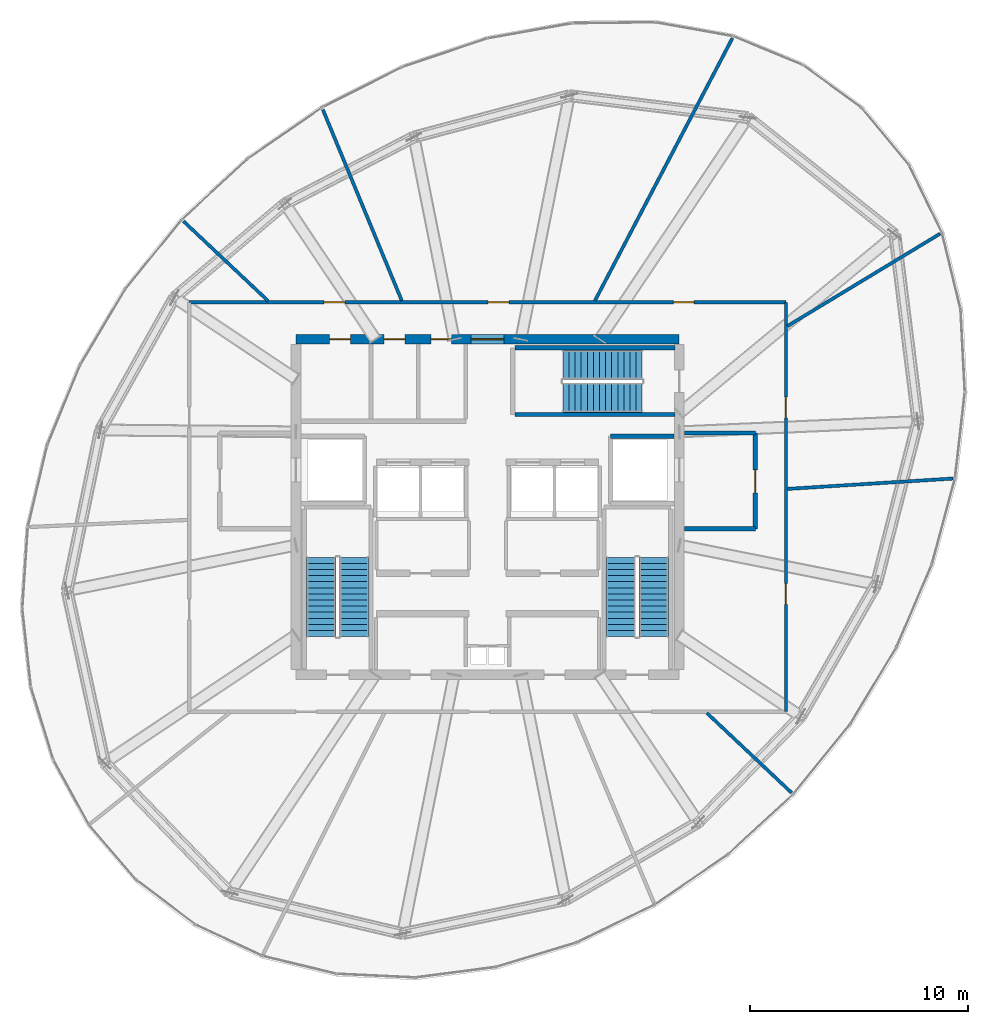
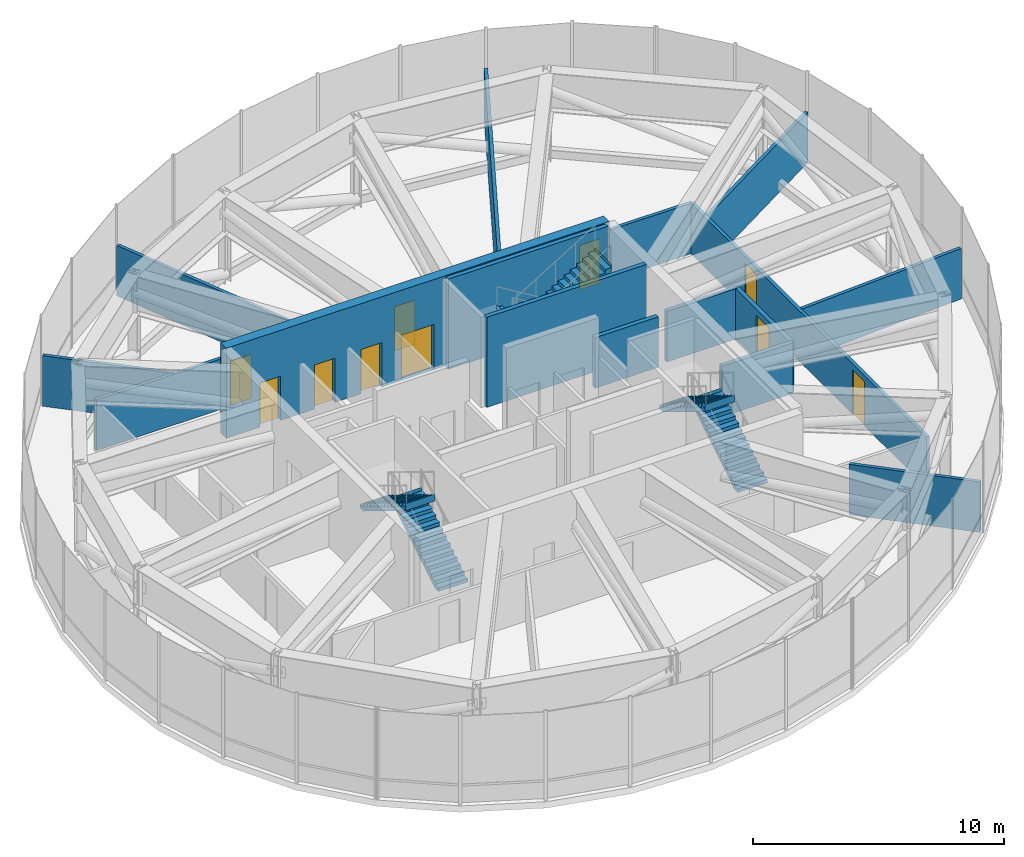
# One storey, part 25 of 26: 15 walls, 10 doors, 6 stair flights, 10 openings, 3 elements without a shape of their own.
"""IFC4 building model written with IfcOpenShell, lengths in metres."""

from ifc_helpers import new_model, si_unit, direction, frame, frame_2d, origin, place, context, subcontext, project, spatial, polyline, rectangle, outline, extrude, source, transform, mapped, material, layer, layer_set, type_object, element, fill, aggregate, save


model = new_model("IFC4")

# Units and contexts
model_context = context("Model", 3, precision=1e-05, world=origin(), true_north=direction((0.0, 1.0)))
body_context = subcontext(model_context, "Body", "Model", "MODEL_VIEW")
ifc_project = project(units=[si_unit("LENGTHUNIT", "METRE"), si_unit("AREAUNIT", "SQUARE_METRE"), si_unit("VOLUMEUNIT", "CUBIC_METRE"), si_unit("PLANEANGLEUNIT", "RADIAN"), si_unit("MASSUNIT", "GRAM", prefix="KILO"), si_unit("THERMODYNAMICTEMPERATUREUNIT", "KELVIN")], contexts=[model_context])

# Site, building, storey
site_placement = place(None, origin())
site = spatial("IfcSite", under=ifc_project, at=site_placement, CompositionType="ELEMENT")
building_placement = place(site_placement, origin())
building = spatial("IfcBuilding", under=site, at=building_placement, Name="Kethvar Cultural Tower", CompositionType="ELEMENT")
storey_placement = place(building_placement, frame((0.0, 0.0, 223.60009765625)))
storey = spatial("IfcBuildingStorey", under=building, at=storey_placement, Name="L58", CompositionType="ELEMENT", Elevation=223.60009765625)

# Wall, openings, doors
ifc_material_1 = material(Name="Concrete C50/60", Category="concrete")
ifc_layer_1 = layer(ifc_material_1, 0.449951171875, Name="Concrete C50/60", Category="concrete")
ifc_layer_set_1 = layer_set([ifc_layer_1], Name="Concrete C50/60 (450 mm)")
wall_type_1 = type_object("IfcWallType", Name="WL-CORE-450", PredefinedType="SHEAR", material=ifc_layer_set_1)
wall_1_placement = place(storey_placement, frame((55.60009765625, 35.5, 0.0), z_axis=(0.0, 0.0, 1.0), x_axis=(-1.0, 0.0, 0.0)))
wall_1 = element("IfcWall", 1, at=wall_1_placement, inside=storey, type_object=wall_type_1, Name="L58 Core Shear Wall N", PredefinedType="SHEAR", context=body_context, shape_type="SweptSolid", body=[
    extrude(rectangle(XDim=17.60009765625, YDim=0.449951171875, at=frame_2d((8.800048828125, 0.0))), origin(), (0.0, 0.0, 1.0), 4.3798828125),
])
opening_1_placement = place(wall_1_placement, frame((8.050048828125, 0.0, 0.0)))
opening_1 = element("IfcOpeningElement", 2, at=opening_1_placement, cuts=wall_1, Name="Opening D-L58-LN", PredefinedType="OPENING", context=body_context, shape_type="SweptSolid", body=[
    extrude(rectangle(XDim=1.5, YDim=2.199951171875, at=frame_2d((0.75, 1.10009765625))), frame((0.0, 0.23486328125, 0.0), z_axis=(0.0, -1.0, 0.0), x_axis=(1.0, 0.0, 0.0)), (0.0, 0.0, 1.0), 0.469970703125),
])
opening_2_placement = place(wall_1_placement, frame((15.10009765625, 0.0, 0.0)))
opening_2 = element("IfcOpeningElement", 3, at=opening_2_placement, cuts=wall_1, Name="Opening D-L58-E1", PredefinedType="OPENING", context=body_context, shape_type="SweptSolid", body=[
    extrude(rectangle(XDim=0.949951171875, YDim=2.14990234375, at=frame_2d((0.47509765625, 1.074951171875))), frame((0.0, 0.23486328125, 0.0), z_axis=(0.0, -1.0, 0.0), x_axis=(1.0, 0.0, 0.0)), (0.0, 0.0, 1.0), 0.469970703125),
])
opening_3_placement = place(wall_1_placement, frame((12.60009765625, 0.0, 0.0)))
opening_3 = element("IfcOpeningElement", 4, at=opening_3_placement, cuts=wall_1, Name="Opening D-L58-W1", PredefinedType="OPENING", context=body_context, shape_type="SweptSolid", body=[
    extrude(rectangle(XDim=0.949951171875, YDim=2.14990234375, at=frame_2d((0.47509765625, 1.074951171875))), frame((0.0, 0.23486328125, 0.0), z_axis=(0.0, -1.0, 0.0), x_axis=(1.0, 0.0, 0.0)), (0.0, 0.0, 1.0), 0.469970703125),
])
opening_4_placement = place(wall_1_placement, frame((10.449951171875, 0.0, 0.0)))
opening_4 = element("IfcOpeningElement", 5, at=opening_4_placement, cuts=wall_1, Name="Opening D-L58-W2", PredefinedType="OPENING", context=body_context, shape_type="SweptSolid", body=[
    extrude(rectangle(XDim=0.949951171875, YDim=2.14990234375, at=frame_2d((0.47509765625, 1.074951171875))), frame((0.0, 0.23486328125, 0.0), z_axis=(0.0, -1.0, 0.0), x_axis=(1.0, 0.0, 0.0)), (0.0, 0.0, 1.0), 0.469970703125),
])
ifc_material_2 = material(Name="Architectural Oak Timber", Category="wood")
door_type_1 = type_object("IfcDoorType", Name="DR-DBL-FD60-1500", OperationType="DOUBLE_DOOR_SINGLE_SWING", PredefinedType="DOOR", material=ifc_material_2)
shared_shape_1 = source(origin(), body_context, "Body", "SweptSolid", [
    extrude(rectangle(XDim=1.5, YDim=2.199951171875, at=frame_2d((0.75, 1.10009765625))), frame((0.0, 0.02490234375, 0.0), z_axis=(0.0, -1.0, 0.0), x_axis=(1.0, 0.0, 0.0)), (0.0, 0.0, 1.0), 0.050048828125),
])
door_1_placement = place(opening_1_placement, origin())
door_1 = element("IfcDoor", 6, at=door_1_placement, inside=storey, type_object=door_type_1, Name="L58 Lift Lobby Concourse Door", OperationType="DOUBLE_DOOR_SINGLE_SWING", OverallHeight=2.199951171875, OverallWidth=1.5, PredefinedType="DOOR", context=body_context, shape_type="MappedRepresentation", body=[
    mapped(shared_shape_1, transform((0.0, 0.0, 0.0), scale=1.0)),
])
fill(opening_1, door_1)
door_type_2 = type_object("IfcDoorType", Name="DR-FD30-950", OperationType="NOTDEFINED", PredefinedType="DOOR", material=ifc_material_2)
shared_shape_2 = source(origin(), body_context, "Body", "SweptSolid", [
    extrude(rectangle(XDim=0.949951171875, YDim=2.14990234375, at=frame_2d((0.47509765625, 1.074951171875))), frame((0.0, 0.02490234375, 0.0), z_axis=(0.0, -1.0, 0.0), x_axis=(1.0, 0.0, 0.0)), (0.0, 0.0, 1.0), 0.050048828125),
])
door_2_placement = place(opening_2_placement, origin())
door_2 = element("IfcDoor", 7, at=door_2_placement, inside=storey, type_object=door_type_2, Name="L58 Electrical Switchgear Door", OperationType="SINGLE_SWING_RIGHT", OverallHeight=2.14990234375, OverallWidth=0.949951171875, PredefinedType="DOOR", context=body_context, shape_type="MappedRepresentation", body=[
    mapped(shared_shape_2, transform((0.0, 0.0, 0.0), scale=1.0)),
])
fill(opening_2, door_2)
door_3_placement = place(opening_3_placement, origin())
door_3 = element("IfcDoor", 8, at=door_3_placement, inside=storey, type_object=door_type_2, Name="L58 Accessible Washroom Door", OperationType="SINGLE_SWING_LEFT", OverallHeight=2.14990234375, OverallWidth=0.949951171875, PredefinedType="DOOR", context=body_context, shape_type="MappedRepresentation", body=[
    mapped(shared_shape_2, transform((0.0, 0.0, 0.0), scale=1.0)),
])
fill(opening_3, door_3)
door_4_placement = place(opening_4_placement, origin())
door_4 = element("IfcDoor", 9, at=door_4_placement, inside=storey, type_object=door_type_2, Name="L58 Public Washroom Door", OperationType="SINGLE_SWING_RIGHT", OverallHeight=2.14990234375, OverallWidth=0.949951171875, PredefinedType="DOOR", context=body_context, shape_type="MappedRepresentation", body=[
    mapped(shared_shape_2, transform((0.0, 0.0, 0.0), scale=1.0)),
])
fill(opening_4, door_4)

ifc_material_3 = material(Name="Gypsum Fireboard Partition")
ifc_layer_2 = layer(ifc_material_3, 0.14990234375, Name="Gypsum Fireboard Partition")
ifc_layer_set_2 = layer_set([ifc_layer_2], Name="Gypsum Fireboard Partition (150 mm)")
wall_type_2 = type_object("IfcWallType", Name="WL-FIRE-150", PredefinedType="PARTITIONING", material=ifc_layer_set_2)
wall_2_placement = place(storey_placement, frame((60.5, 18.39990234375, 0.0), z_axis=(0.0, 0.0, 1.0), x_axis=(0.0, 1.0, 0.0)))
wall_2 = element("IfcWall", 10, at=wall_2_placement, inside=storey, type_object=wall_type_2, Name="L58 Corridor Rated Wall E", PredefinedType="PARTITIONING", context=body_context, shape_type="SweptSolid", body=[
    extrude(rectangle(XDim=18.800048828125, YDim=0.14990234375, at=frame_2d((9.39990234375, 0.0))), origin(), (0.0, 0.0, 1.0), 2.454833984375),
])
opening_5_placement = place(wall_2_placement, frame((4.927978515625, 0.0, 0.0)))
opening_5 = element("IfcOpeningElement", 11, at=opening_5_placement, cuts=wall_2, Name="Opening D-L58-05", PredefinedType="OPENING", context=body_context, shape_type="SweptSolid", body=[
    extrude(rectangle(XDim=0.949951171875, YDim=2.14990234375, at=frame_2d((0.47509765625, 1.074951171875))), frame((0.0, 0.0849609375, 0.0), z_axis=(0.0, -1.0, 0.0), x_axis=(1.0, 0.0, 0.0)), (0.0, 0.0, 1.0), 0.169921875),
])
opening_6_placement = place(wall_2_placement, frame((13.494140625, 0.0, 0.0)))
opening_6 = element("IfcOpeningElement", 12, at=opening_6_placement, cuts=wall_2, Name="Opening D-L58-06", PredefinedType="OPENING", context=body_context, shape_type="SweptSolid", body=[
    extrude(rectangle(XDim=0.949951171875, YDim=2.14990234375, at=frame_2d((0.47509765625, 1.074951171875))), frame((0.0, 0.0849609375, 0.0), z_axis=(0.0, -1.0, 0.0), x_axis=(1.0, 0.0, 0.0)), (0.0, 0.0, 1.0), 0.169921875),
])
door_5_placement = place(opening_5_placement, origin())
door_5 = element("IfcDoor", 13, at=door_5_placement, inside=storey, type_object=door_type_2, Name="L58 Electrical Switchgear Plant Room 05 Door", OperationType="SINGLE_SWING_LEFT", OverallHeight=2.14990234375, OverallWidth=0.949951171875, PredefinedType="DOOR", context=body_context, shape_type="MappedRepresentation", body=[
    mapped(shared_shape_2, transform((0.0, 0.0, 0.0), scale=1.0)),
])
fill(opening_5, door_5)
door_6_placement = place(opening_6_placement, origin())
door_6 = element("IfcDoor", 14, at=door_6_placement, inside=storey, type_object=door_type_2, Name="L58 Smoke Extract Fan Plant Room 06 Door", OperationType="SINGLE_SWING_RIGHT", OverallHeight=2.14990234375, OverallWidth=0.949951171875, PredefinedType="DOOR", context=body_context, shape_type="MappedRepresentation", body=[
    mapped(shared_shape_2, transform((0.0, 0.0, 0.0), scale=1.0)),
])
fill(opening_6, door_6)

wall_3_placement = place(storey_placement, frame((60.5, 37.199951171875, 0.0), z_axis=(0.0, 0.0, 1.0), x_axis=(-1.0, 0.0, 0.0)))
wall_3 = element("IfcWall", 15, at=wall_3_placement, inside=storey, type_object=wall_type_2, Name="L58 Corridor Rated Wall N", PredefinedType="PARTITIONING", context=body_context, shape_type="SweptSolid", body=[
    extrude(rectangle(XDim=27.39990234375, YDim=0.14990234375, at=frame_2d((13.699951171875, 0.0))), origin(), (0.0, 0.0, 1.0), 2.454833984375),
])
opening_7_placement = place(wall_3_placement, frame((4.218017578125, 0.0, 0.0)))
opening_7 = element("IfcOpeningElement", 16, at=opening_7_placement, cuts=wall_3, Name="Opening D-L58-07", PredefinedType="OPENING", context=body_context, shape_type="SweptSolid", body=[
    extrude(rectangle(XDim=0.949951171875, YDim=2.14990234375, at=frame_2d((0.47509765625, 1.074951171875))), frame((0.0, 0.0849609375, 0.0), z_axis=(0.0, -1.0, 0.0), x_axis=(1.0, 0.0, 0.0)), (0.0, 0.0, 1.0), 0.169921875),
])
opening_8_placement = place(wall_3_placement, frame((12.7255859375, 0.0, 0.0)))
opening_8 = element("IfcOpeningElement", 17, at=opening_8_placement, cuts=wall_3, Name="Opening D-L58-08", PredefinedType="OPENING", context=body_context, shape_type="SweptSolid", body=[
    extrude(rectangle(XDim=0.949951171875, YDim=2.14990234375, at=frame_2d((0.47509765625, 1.074951171875))), frame((0.0, 0.0849609375, 0.0), z_axis=(0.0, -1.0, 0.0), x_axis=(1.0, 0.0, 0.0)), (0.0, 0.0, 1.0), 0.169921875),
])
opening_9_placement = place(wall_3_placement, frame((20.248291015625, 0.0, 0.0)))
opening_9 = element("IfcOpeningElement", 18, at=opening_9_placement, cuts=wall_3, Name="Opening D-L58-09", PredefinedType="OPENING", context=body_context, shape_type="SweptSolid", body=[
    extrude(rectangle(XDim=0.949951171875, YDim=2.14990234375, at=frame_2d((0.47509765625, 1.074951171875))), frame((0.0, 0.0849609375, 0.0), z_axis=(0.0, -1.0, 0.0), x_axis=(1.0, 0.0, 0.0)), (0.0, 0.0, 1.0), 0.169921875),
])
door_7_placement = place(opening_7_placement, origin())
door_7 = element("IfcDoor", 19, at=door_7_placement, inside=storey, type_object=door_type_2, Name="L58 Heat Recovery Mechanical Plant Room 07 Door", OperationType="SINGLE_SWING_LEFT", OverallHeight=2.14990234375, OverallWidth=0.949951171875, PredefinedType="DOOR", context=body_context, shape_type="MappedRepresentation", body=[
    mapped(shared_shape_2, transform((0.0, 0.0, 0.0), scale=1.0)),
])
fill(opening_7, door_7)
door_8_placement = place(opening_8_placement, origin())
door_8 = element("IfcDoor", 20, at=door_8_placement, inside=storey, type_object=door_type_2, Name="L58 Pressurisation Fan Plant Room 08 Door", OperationType="SINGLE_SWING_RIGHT", OverallHeight=2.14990234375, OverallWidth=0.949951171875, PredefinedType="DOOR", context=body_context, shape_type="MappedRepresentation", body=[
    mapped(shared_shape_2, transform((0.0, 0.0, 0.0), scale=1.0)),
])
fill(opening_8, door_8)
door_9_placement = place(opening_9_placement, origin())
door_9 = element("IfcDoor", 21, at=door_9_placement, inside=storey, type_object=door_type_2, Name="L58 Domestic Booster Plant Room 09 Door", OperationType="SINGLE_SWING_LEFT", OverallHeight=2.14990234375, OverallWidth=0.949951171875, PredefinedType="DOOR", context=body_context, shape_type="MappedRepresentation", body=[
    mapped(shared_shape_2, transform((0.0, 0.0, 0.0), scale=1.0)),
])
fill(opening_9, door_9)

# Walls
wall_4_placement = place(storey_placement, frame((56.8681640625, 18.34521484375, 0.0), z_axis=(0.0, 0.0, 1.0), x_axis=(0.727986933266, -0.685591004166, 0.0)))
element("IfcWall", 22, at=wall_4_placement, inside=storey, type_object=wall_type_2, Name="L58 Radial Partition Wall 05", PredefinedType="PARTITIONING", context=body_context, shape_type="SweptSolid", body=[
    extrude(rectangle(XDim=5.349609375, YDim=0.14990234375, at=frame_2d((2.6748046875, 0.0))), origin(), (0.0, 0.0, 1.0), 2.454833984375),
])
wall_5_placement = place(storey_placement, frame((60.579833984375, 28.630615234375, 0.0), z_axis=(0.0, 0.0, 1.0), x_axis=(0.998037933453, 0.062612166465, 0.0)))
element("IfcWall", 23, at=wall_5_placement, inside=storey, type_object=wall_type_2, Name="L58 Radial Partition Wall 06", PredefinedType="PARTITIONING", context=body_context, shape_type="SweptSolid", body=[
    extrude(rectangle(XDim=7.603515625, YDim=0.14990234375, at=frame_2d((3.8017578125, 0.0))), origin(), (0.0, 0.0, 1.0), 2.454833984375),
])
wall_6_placement = place(storey_placement, frame((60.568603515625, 36.106689453125, 0.0), z_axis=(0.0, 0.0, 1.0), x_axis=(0.855642733501, 0.517566916067, 0.0)))
element("IfcWall", 24, at=wall_6_placement, inside=storey, type_object=wall_type_2, Name="L58 Radial Partition Wall 07", PredefinedType="PARTITIONING", context=body_context, shape_type="SweptSolid", body=[
    extrude(rectangle(XDim=8.19775390625, YDim=0.14990234375, at=frame_2d((4.098876953125, 0.0))), origin(), (0.0, 0.0, 1.0), 2.454833984375),
])
wall_7_placement = place(storey_placement, frame((51.73095703125, 37.27099609375, 0.0), z_axis=(0.0, 0.0, 1.0), x_axis=(0.46390305582, 0.885885971669, 0.0)))
element("IfcWall", 25, at=wall_7_placement, inside=storey, type_object=wall_type_2, Name="L58 Radial Partition Wall 08", PredefinedType="PARTITIONING", context=body_context, shape_type="SweptSolid", body=[
    extrude(rectangle(XDim=13.604736328125, YDim=0.14990234375, at=frame_2d((6.80224609375, 0.0))), origin(), (0.0, 0.0, 1.0), 2.454833984375),
])
wall_8_placement = place(storey_placement, frame((42.862060546875, 37.27392578125, 0.0), z_axis=(0.0, 0.0, 1.0), x_axis=(-0.381658905652, 0.924303240142, 0.0)))
element("IfcWall", 26, at=wall_8_placement, inside=storey, type_object=wall_type_2, Name="L58 Radial Partition Wall 09", PredefinedType="PARTITIONING", context=body_context, shape_type="SweptSolid", body=[
    extrude(rectangle(XDim=9.49365234375, YDim=0.14990234375, at=frame_2d((4.746826171875, 0.0))), origin(), (0.0, 0.0, 1.0), 2.454833984375),
])
wall_9_placement = place(storey_placement, frame((36.731689453125, 37.2548828125, 0.0), z_axis=(0.0, 0.0, 1.0), x_axis=(-0.727965481636, 0.68561378162, 0.0)))
element("IfcWall", 27, at=wall_9_placement, inside=storey, type_object=wall_type_2, Name="L58 Radial Partition Wall 10", PredefinedType="PARTITIONING", context=body_context, shape_type="SweptSolid", body=[
    extrude(rectangle(XDim=5.349609375, YDim=0.14990234375, at=frame_2d((2.6748046875, 0.0))), origin(), (0.0, 0.0, 1.0), 2.454833984375),
])
ifc_material_4 = material(Name="Concrete C40/50", Category="concrete")
ifc_layer_3 = layer(ifc_material_4, 0.199951171875, Name="Concrete C40/50", Category="concrete")
ifc_layer_set_3 = layer_set([ifc_layer_3], Name="Concrete C40/50 (200 mm)")
wall_type_3 = type_object("IfcWallType", Name="WL-FIRE-200", PredefinedType="PARTITIONING", material=ifc_layer_set_3)
wall_10_placement = place(storey_placement, frame((52.449951171875, 31.050048828125, 0.0), z_axis=(0.0, 0.0, 1.0), x_axis=(1.0, 0.0, 0.0)))
element("IfcWall", 28, at=wall_10_placement, inside=storey, type_object=wall_type_3, Name="L58 FFL-02 Shaft North Wall", PredefinedType="PARTITIONING", context=body_context, shape_type="SweptSolid", body=[
    extrude(rectangle(XDim=2.9150390625, YDim=0.199951171875, at=frame_2d((1.45751953125, 0.0))), origin(), (0.0, 0.0, 1.0), 2.454833984375),
])

# Wall, opening, door
wall_11_placement = place(storey_placement, frame((59.10009765625, 26.800048828125, 0.0), z_axis=(0.0, 0.0, 1.0), x_axis=(0.0, 1.0, 0.0)))
wall_11 = element("IfcWall", 29, at=wall_11_placement, inside=storey, type_object=wall_type_3, Name="L58 Firefighting Lobby 2 Wall", PredefinedType="PARTITIONING", context=body_context, shape_type="SweptSolid", body=[
    extrude(rectangle(XDim=4.39990234375, YDim=0.199951171875, at=frame_2d((2.199951171875, 0.0))), origin(), (0.0, 0.0, 1.0), 2.454833984375),
])
opening_10_placement = place(wall_11_placement, frame((1.64990234375, 0.0, 0.0)))
opening_10 = element("IfcOpeningElement", 30, at=opening_10_placement, cuts=wall_11, Name="Opening D-L58-F2", PredefinedType="OPENING", context=body_context, shape_type="SweptSolid", body=[
    extrude(rectangle(XDim=1.050048828125, YDim=2.14990234375, at=frame_2d((0.52490234375, 1.074951171875))), frame((0.0, 0.10986328125, 0.0), z_axis=(0.0, -1.0, 0.0), x_axis=(1.0, 0.0, 0.0)), (0.0, 0.0, 1.0), 0.219970703125),
])
ifc_material_5 = material(Name="Steel S355J2", Category="steel")
door_type_3 = type_object("IfcDoorType", Name="DR-FD60-1050", OperationType="NOTDEFINED", PredefinedType="DOOR", material=ifc_material_5)
shared_shape_3 = source(origin(), body_context, "Body", "SweptSolid", [
    extrude(rectangle(XDim=1.050048828125, YDim=2.14990234375, at=frame_2d((0.52490234375, 1.074951171875))), frame((0.0, 0.02490234375, 0.0), z_axis=(0.0, -1.0, 0.0), x_axis=(1.0, 0.0, 0.0)), (0.0, 0.0, 1.0), 0.050048828125),
])
door_10_placement = place(opening_10_placement, origin())
door_10 = element("IfcDoor", 31, at=door_10_placement, inside=storey, type_object=door_type_3, Name="L58 Firefighting Lobby 2 Fire Door", OperationType="SINGLE_SWING_LEFT", OverallHeight=2.14990234375, OverallWidth=1.050048828125, PredefinedType="DOOR", context=body_context, shape_type="MappedRepresentation", body=[
    mapped(shared_shape_3, transform((0.0, 0.0, 0.0), scale=1.0)),
])
fill(opening_10, door_10)

# Walls
for number, where, z_axis, x_axis, name in (
    (32, (55.8349609375, 26.800048828125, 0.0), (0.0, 0.0, 1.0), (1.0, 0.0, 0.0), "L58 FF Lobby 2 South Wall"),
    (33, (55.8349609375, 31.199951171875, 0.0), (0.0, 0.0, 1.0), (1.0, 0.0, 0.0), "L58 FF Lobby 2 North Wall"),
):
    element("IfcWall", number, at=place(storey_placement, frame(where, z_axis=z_axis, x_axis=x_axis)), inside=storey, type_object=wall_type_3, Name=name, PredefinedType="PARTITIONING", context=body_context, shape_type="SweptSolid", body=[
        extrude(rectangle(XDim=3.26513671875, YDim=0.199951171875, at=frame_2d((1.632568359375, 0.0))), origin(), (0.0, 0.0, 1.0), 2.454833984375),
    ])
ifc_layer_4 = layer(ifc_material_1, 0.199951171875, Name="Concrete C50/60", Category="concrete")
ifc_layer_set_4 = layer_set([ifc_layer_4], Name="Concrete C50/60 (200 mm)")
wall_type_4 = type_object("IfcWallType", Name="WL-STSHAFT-200", PredefinedType="SHEAR", material=ifc_layer_set_4)
for number, where, z_axis, x_axis, name in (
    (34, (48.050048828125, 35.110107421875, 0.0), (0.0, 0.0, 1.0), (1.0, 0.0, 0.0), "L58 ST-03 Stair Shaft Wall LEFT"),
    (35, (55.39990234375, 32.050048828125, 0.0), (0.0, 0.0, 1.0), (-1.0, 0.0, 0.0), "L58 ST-03 Stair Shaft Wall RIGHT"),
):
    element("IfcWall", number, at=place(storey_placement, frame(where, z_axis=z_axis, x_axis=x_axis)), inside=storey, type_object=wall_type_4, Name=name, PredefinedType="SHEAR", context=body_context, shape_type="SweptSolid", body=[
        extrude(rectangle(XDim=7.349853515625, YDim=0.199951171875, at=frame_2d((3.6748046875, 0.0))), origin(), (0.0, 0.0, 1.0), 4.3798828125),
    ])

# Stair, stair flights
stair_type = type_object("IfcStairType", Name="ST-DOGLEG-135", PredefinedType="HALF_TURN_STAIR", material=ifc_material_4)
stair_1_placement = place(storey_placement, origin())
stair_1 = element("IfcStair", 36, at=stair_1_placement, inside=storey, type_object=stair_type, Name="L58 Core Exit Stair 1", PredefinedType="HALF_TURN_STAIR")
stair_flight_type = type_object("IfcStairFlightType", Name="FL-STRAIGHT-135", PredefinedType="STRAIGHT", material=ifc_material_4)
stair_flight_1_placement = place(storey_placement, frame((40.675048828125, 21.85009765625, 0.0), z_axis=(0.0, 0.0, 1.0), x_axis=(0.0, 1.0, 0.0)))
stair_flight_1 = element("IfcStairFlight", 37, at=stair_flight_1_placement, type_object=stair_flight_type, Name="ST-01 flight 1", NumberOfRisers=14, NumberOfTreads=13, PredefinedType="STRAIGHT", RiserHeight=0.171428571, TreadLength=0.28, context=body_context, shape_type="SweptSolid", body=[
    extrude(outline(polyline([(-0.0009765625, -0.0009765625), (-0.0009765625, 0.17138671875), (0.280029296875, 0.17138671875), (0.280029296875, 0.3427734375), (0.56005859375, 0.3427734375), (0.56005859375, 0.514404296875), (0.840087890625, 0.514404296875), (0.840087890625, 0.685791015625), (1.1201171875, 0.685791015625), (1.1201171875, 0.857177734375), (1.39990234375, 0.857177734375), (1.39990234375, 1.028564453125), (1.679931640625, 1.028564453125), (1.679931640625, 1.199951171875), (1.9599609375, 1.199951171875), (1.9599609375, 1.371337890625), (2.239990234375, 1.371337890625), (2.239990234375, 1.54296875), (2.52001953125, 1.54296875), (2.52001953125, 1.71435546875), (2.800048828125, 1.71435546875), (2.800048828125, 1.8857421875), (3.080078125, 1.8857421875), (3.080078125, 2.05712890625), (3.360107421875, 2.05712890625), (3.360107421875, 2.228515625), (3.639892578125, 2.228515625), (3.639892578125, 2.39990234375), (3.640869140625, 2.39990234375), (3.640869140625, 2.052734375), (0.287109375, 0.0), (0.0, -0.0009765625), (-0.0009765625, -0.0009765625)])), frame((0.0, 0.675048828125, 0.0), z_axis=(0.0, -1.0, 0.0), x_axis=(1.0, 0.0, 0.0)), (0.0, 0.0, 1.0), 1.35009765625),
])
stair_flight_2_placement = place(storey_placement, frame((39.1650390625, 25.489990234375, 2.39990234375), z_axis=(0.0, 0.0, 1.0), x_axis=(0.0, -1.0, 0.0)))
stair_flight_2 = element("IfcStairFlight", 38, at=stair_flight_2_placement, type_object=stair_flight_type, Name="ST-01 flight 2", NumberOfRisers=14, NumberOfTreads=13, PredefinedType="STRAIGHT", RiserHeight=0.171428571, TreadLength=0.28, context=body_context, shape_type="SweptSolid", body=[
    extrude(outline(polyline([(-0.0009765625, -0.0009765625), (-0.0009765625, 0.17138671875), (0.280029296875, 0.17138671875), (0.280029296875, 0.3427734375), (0.56005859375, 0.3427734375), (0.56005859375, 0.514404296875), (0.840087890625, 0.514404296875), (0.840087890625, 0.685791015625), (1.1201171875, 0.685791015625), (1.1201171875, 0.857177734375), (1.39990234375, 0.857177734375), (1.39990234375, 1.028564453125), (1.679931640625, 1.028564453125), (1.679931640625, 1.199951171875), (1.9599609375, 1.199951171875), (1.9599609375, 1.371337890625), (2.239990234375, 1.371337890625), (2.239990234375, 1.54296875), (2.52001953125, 1.54296875), (2.52001953125, 1.71435546875), (2.800048828125, 1.71435546875), (2.800048828125, 1.8857421875), (3.080078125, 1.8857421875), (3.080078125, 2.05712890625), (3.360107421875, 2.05712890625), (3.360107421875, 2.228515625), (3.639892578125, 2.228515625), (3.639892578125, 2.39990234375), (3.640869140625, 2.39990234375), (3.640869140625, 2.052734375), (0.287109375, 0.0), (0.0, -0.0009765625), (-0.0009765625, -0.0009765625)])), frame((0.0, 0.675048828125, 0.0), z_axis=(0.0, -1.0, 0.0), x_axis=(1.0, 0.0, 0.0)), (0.0, 0.0, 1.0), 1.35009765625),
])
aggregate(stair_1, [stair_flight_1, stair_flight_2])

stair_2_placement = place(storey_placement, origin())
stair_2 = element("IfcStair", 39, at=stair_2_placement, inside=storey, type_object=stair_type, Name="L58 Core Exit Stair 2", PredefinedType="HALF_TURN_STAIR")
stair_flight_3_placement = place(storey_placement, frame((54.43505859375, 21.85009765625, 0.0), z_axis=(0.0, 0.0, 1.0), x_axis=(0.0, 1.0, 0.0)))
stair_flight_3 = element("IfcStairFlight", 40, at=stair_flight_3_placement, type_object=stair_flight_type, Name="ST-02 flight 1", NumberOfRisers=14, NumberOfTreads=13, PredefinedType="STRAIGHT", RiserHeight=0.171428571, TreadLength=0.28, context=body_context, shape_type="SweptSolid", body=[
    extrude(outline(polyline([(-0.0009765625, -0.0009765625), (-0.0009765625, 0.17138671875), (0.280029296875, 0.17138671875), (0.280029296875, 0.3427734375), (0.56005859375, 0.3427734375), (0.56005859375, 0.514404296875), (0.840087890625, 0.514404296875), (0.840087890625, 0.685791015625), (1.1201171875, 0.685791015625), (1.1201171875, 0.857177734375), (1.39990234375, 0.857177734375), (1.39990234375, 1.028564453125), (1.679931640625, 1.028564453125), (1.679931640625, 1.199951171875), (1.9599609375, 1.199951171875), (1.9599609375, 1.371337890625), (2.239990234375, 1.371337890625), (2.239990234375, 1.54296875), (2.52001953125, 1.54296875), (2.52001953125, 1.71435546875), (2.800048828125, 1.71435546875), (2.800048828125, 1.8857421875), (3.080078125, 1.8857421875), (3.080078125, 2.05712890625), (3.360107421875, 2.05712890625), (3.360107421875, 2.228515625), (3.639892578125, 2.228515625), (3.639892578125, 2.39990234375), (3.640869140625, 2.39990234375), (3.640869140625, 2.052734375), (0.287109375, 0.0), (0.0, -0.0009765625), (-0.0009765625, -0.0009765625)])), frame((0.0, 0.675048828125, 0.0), z_axis=(0.0, -1.0, 0.0), x_axis=(1.0, 0.0, 0.0)), (0.0, 0.0, 1.0), 1.35009765625),
])
stair_flight_4_placement = place(storey_placement, frame((52.925048828125, 25.489990234375, 2.39990234375), z_axis=(0.0, 0.0, 1.0), x_axis=(0.0, -1.0, 0.0)))
stair_flight_4 = element("IfcStairFlight", 41, at=stair_flight_4_placement, type_object=stair_flight_type, Name="ST-02 flight 2", NumberOfRisers=14, NumberOfTreads=13, PredefinedType="STRAIGHT", RiserHeight=0.171428571, TreadLength=0.28, context=body_context, shape_type="SweptSolid", body=[
    extrude(outline(polyline([(-0.0009765625, -0.0009765625), (-0.0009765625, 0.17138671875), (0.280029296875, 0.17138671875), (0.280029296875, 0.3427734375), (0.56005859375, 0.3427734375), (0.56005859375, 0.514404296875), (0.840087890625, 0.514404296875), (0.840087890625, 0.685791015625), (1.1201171875, 0.685791015625), (1.1201171875, 0.857177734375), (1.39990234375, 0.857177734375), (1.39990234375, 1.028564453125), (1.679931640625, 1.028564453125), (1.679931640625, 1.199951171875), (1.9599609375, 1.199951171875), (1.9599609375, 1.371337890625), (2.239990234375, 1.371337890625), (2.239990234375, 1.54296875), (2.52001953125, 1.54296875), (2.52001953125, 1.71435546875), (2.800048828125, 1.71435546875), (2.800048828125, 1.8857421875), (3.080078125, 1.8857421875), (3.080078125, 2.05712890625), (3.360107421875, 2.05712890625), (3.360107421875, 2.228515625), (3.639892578125, 2.228515625), (3.639892578125, 2.39990234375), (3.640869140625, 2.39990234375), (3.640869140625, 2.052734375), (0.287109375, 0.0), (0.0, -0.0009765625), (-0.0009765625, -0.0009765625)])), frame((0.0, 0.675048828125, 0.0), z_axis=(0.0, -1.0, 0.0), x_axis=(1.0, 0.0, 0.0)), (0.0, 0.0, 1.0), 1.35009765625),
])
aggregate(stair_2, [stair_flight_3, stair_flight_4])

stair_3_placement = place(storey_placement, origin())
stair_3 = element("IfcStair", 42, at=stair_3_placement, inside=storey, type_object=stair_type, Name="L58 Core Exit Stair 3", PredefinedType="HALF_TURN_STAIR")
stair_flight_5_placement = place(storey_placement, frame((53.89990234375, 34.3349609375, 0.0), z_axis=(0.0, 0.0, 1.0), x_axis=(-1.0, 0.0, 0.0)))
stair_flight_5 = element("IfcStairFlight", 43, at=stair_flight_5_placement, type_object=stair_flight_type, Name="ST-03 flight 1", NumberOfRisers=14, NumberOfTreads=13, PredefinedType="STRAIGHT", RiserHeight=0.171428571, TreadLength=0.28, context=body_context, shape_type="SweptSolid", body=[
    extrude(outline(polyline([(-0.0009765625, -0.0009765625), (-0.0009765625, 0.17138671875), (0.280029296875, 0.17138671875), (0.280029296875, 0.3427734375), (0.56005859375, 0.3427734375), (0.56005859375, 0.514404296875), (0.840087890625, 0.514404296875), (0.840087890625, 0.685791015625), (1.1201171875, 0.685791015625), (1.1201171875, 0.857177734375), (1.39990234375, 0.857177734375), (1.39990234375, 1.028564453125), (1.679931640625, 1.028564453125), (1.679931640625, 1.199951171875), (1.9599609375, 1.199951171875), (1.9599609375, 1.371337890625), (2.239990234375, 1.371337890625), (2.239990234375, 1.54296875), (2.52001953125, 1.54296875), (2.52001953125, 1.71435546875), (2.800048828125, 1.71435546875), (2.800048828125, 1.8857421875), (3.080078125, 1.8857421875), (3.080078125, 2.05712890625), (3.360107421875, 2.05712890625), (3.360107421875, 2.228515625), (3.639892578125, 2.228515625), (3.639892578125, 2.39990234375), (3.640869140625, 2.39990234375), (3.640869140625, 2.052734375), (0.287109375, 0.0), (0.0, -0.0009765625), (-0.0009765625, -0.0009765625)])), frame((0.0, 0.675048828125, 0.0), z_axis=(0.0, -1.0, 0.0), x_axis=(1.0, 0.0, 0.0)), (0.0, 0.0, 1.0), 1.35009765625),
])
stair_flight_6_placement = place(storey_placement, frame((50.260009765625, 32.824951171875, 2.39990234375), z_axis=(0.0, 0.0, 1.0), x_axis=(1.0, 0.0, 0.0)))
stair_flight_6 = element("IfcStairFlight", 44, at=stair_flight_6_placement, type_object=stair_flight_type, Name="ST-03 flight 2", NumberOfRisers=14, NumberOfTreads=13, PredefinedType="STRAIGHT", RiserHeight=0.171428571, TreadLength=0.28, context=body_context, shape_type="SweptSolid", body=[
    extrude(outline(polyline([(-0.0009765625, -0.0009765625), (-0.0009765625, 0.17138671875), (0.280029296875, 0.17138671875), (0.280029296875, 0.3427734375), (0.56005859375, 0.3427734375), (0.56005859375, 0.514404296875), (0.840087890625, 0.514404296875), (0.840087890625, 0.685791015625), (1.1201171875, 0.685791015625), (1.1201171875, 0.857177734375), (1.39990234375, 0.857177734375), (1.39990234375, 1.028564453125), (1.679931640625, 1.028564453125), (1.679931640625, 1.199951171875), (1.9599609375, 1.199951171875), (1.9599609375, 1.371337890625), (2.239990234375, 1.371337890625), (2.239990234375, 1.54296875), (2.52001953125, 1.54296875), (2.52001953125, 1.71435546875), (2.800048828125, 1.71435546875), (2.800048828125, 1.8857421875), (3.080078125, 1.8857421875), (3.080078125, 2.05712890625), (3.360107421875, 2.05712890625), (3.360107421875, 2.228515625), (3.639892578125, 2.228515625), (3.639892578125, 2.39990234375), (3.640869140625, 2.39990234375), (3.640869140625, 2.052734375), (0.287109375, 0.0), (0.0, -0.0009765625), (-0.0009765625, -0.0009765625)])), frame((0.0, 0.675048828125, 0.0), z_axis=(0.0, -1.0, 0.0), x_axis=(1.0, 0.0, 0.0)), (0.0, 0.0, 1.0), 1.35009765625),
])
aggregate(stair_3, [stair_flight_5, stair_flight_6])

save(model, "model.ifc")
